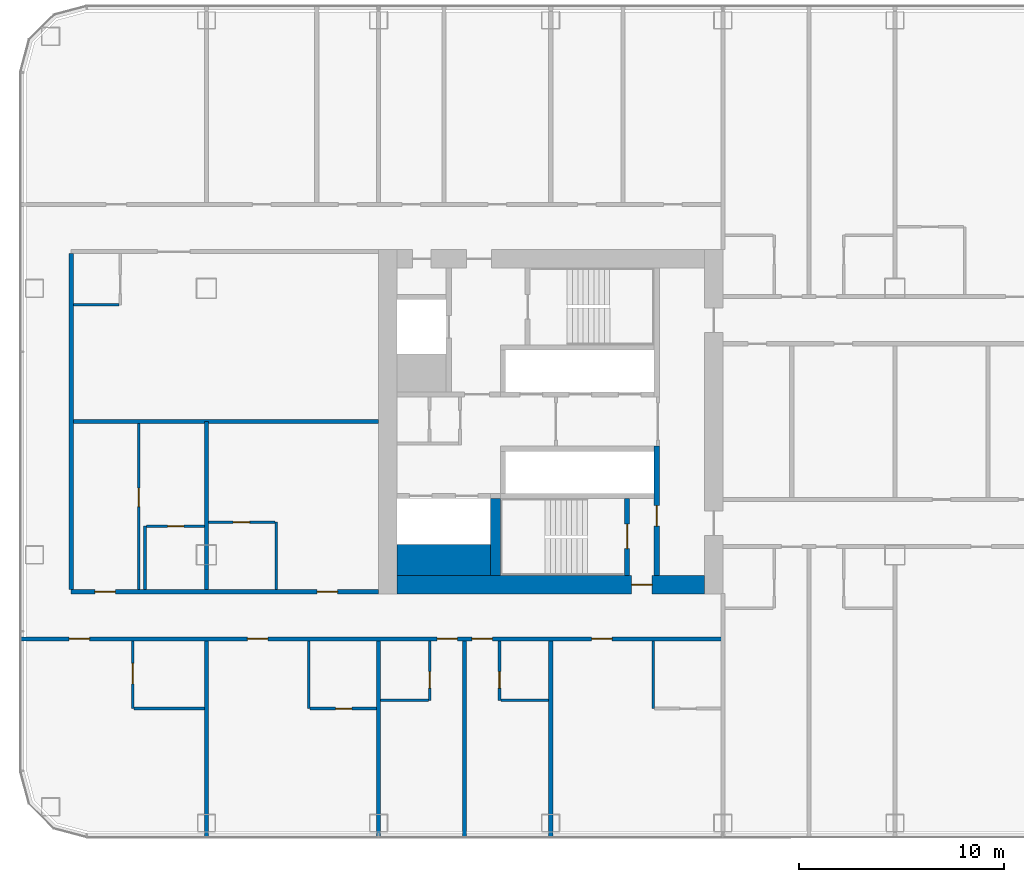
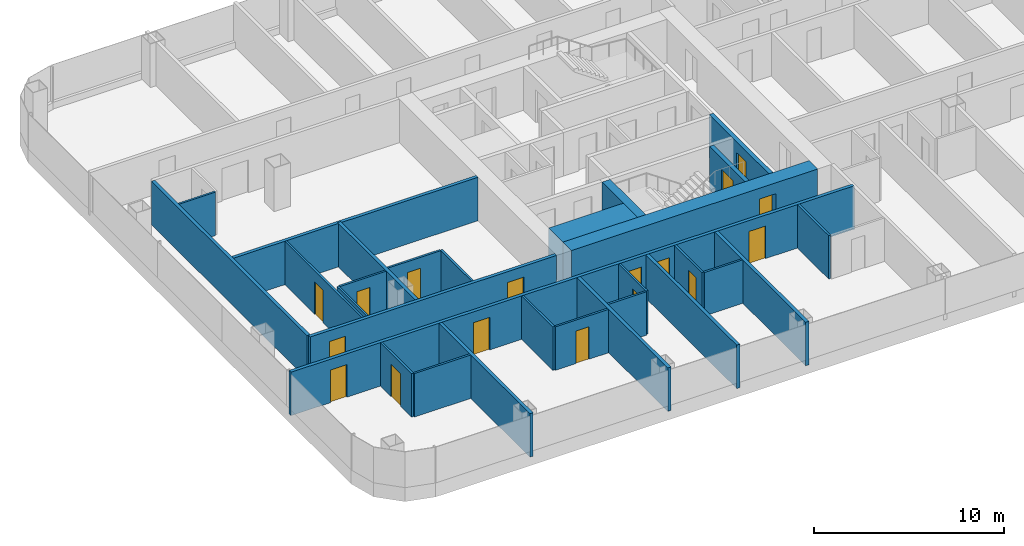
# One storey, part 13 of 29: 29 walls, 17 doors, 17 openings.
"""IFC4 building model written with IfcOpenShell, lengths in metres."""

from ifc_helpers import new_model, si_unit, direction, frame, frame_2d, origin, place, context, subcontext, project, spatial, rectangle, extrude, material, layer, layer_set, type_object, element, fill, save


model = new_model("IFC4")

# Units and contexts
model_context = context("Model", 3, precision=1e-05, world=origin(), true_north=direction((0.0, 1.0)))
body_context = subcontext(model_context, "Body", "Model", "MODEL_VIEW")
ifc_project = project(units=[si_unit("LENGTHUNIT", "METRE"), si_unit("AREAUNIT", "SQUARE_METRE"), si_unit("VOLUMEUNIT", "CUBIC_METRE"), si_unit("PLANEANGLEUNIT", "RADIAN"), si_unit("MASSUNIT", "GRAM", prefix="KILO")], contexts=[model_context])

# Site, building, storey
site_placement = place(None, origin())
site = spatial("IfcSite", under=ifc_project, at=site_placement, CompositionType="ELEMENT")
building_placement = place(site_placement, origin())
building = spatial("IfcBuilding", under=site, at=building_placement, Name="Hakoniwa Tower and Hamabe Station Hall", CompositionType="ELEMENT")
storey_placement = place(building_placement, frame((0.0, 0.0, 29.39990234375)))
storey = spatial("IfcBuildingStorey", under=building, at=storey_placement, Name="L07", CompositionType="ELEMENT", Elevation=29.39990234375)

# Wall
ifc_material_1 = material(Name="Gypsum board partition", Category="gypsum")
ifc_layer_1 = layer(ifc_material_1, 0.125)
ifc_layer_set_1 = layer_set([ifc_layer_1], Name="Bathroom Partition 125")
wall_type_1 = type_object("IfcWallType", Name="Bathroom Partition 125", PredefinedType="PARTITIONING", material=ifc_layer_set_1)
wall_1_placement = place(storey_placement, frame((-45.53759765625, -14.0, 0.0), z_axis=(0.0, 0.0, 1.0), x_axis=(1.0, 0.0, 0.0)))
element("IfcWall", 1, at=wall_1_placement, inside=storey, type_object=wall_type_1, Name="GW-L07-001", PredefinedType="PARTITIONING", context=body_context, shape_type="SweptSolid", body=[
    extrude(rectangle(XDim=3.4375, YDim=0.125, at=frame_2d((1.71875, 0.0))), origin(), (0.0, 0.0, 1.0), 2.800048828125),
])

# Wall, opening, door
wall_2_placement = place(storey_placement, frame((-36.9375, -14.0, 0.0), z_axis=(0.0, 0.0, 1.0), x_axis=(1.0, 0.0, 0.0)))
wall_2 = element("IfcWall", 2, at=wall_2_placement, inside=storey, type_object=wall_type_1, Name="GW-L07-002", PredefinedType="PARTITIONING", context=body_context, shape_type="SweptSolid", body=[
    extrude(rectangle(XDim=3.237548828125, YDim=0.125, at=frame_2d((1.61865234375, 0.0))), origin(), (0.0, 0.0, 1.0), 2.800048828125),
])
opening_1_placement = place(wall_2_placement, frame((1.237548828125, 0.0, 0.0)))
opening_1 = element("IfcOpeningElement", 3, at=opening_1_placement, cuts=wall_2, Name="Opening GD-G1D0-01", PredefinedType="OPENING", context=body_context, shape_type="SweptSolid", body=[
    extrude(rectangle(XDim=0.800048828125, YDim=2.10009765625, at=frame_2d((0.39990234375, 1.050048828125))), frame((0.0, 0.072509765625, 0.0), z_axis=(0.0, -1.0, 0.0), x_axis=(1.0, 0.0, 0.0)), (0.0, 0.0, 1.0), 0.14501953125),
])
ifc_material_2 = material(Name="Timber door leaf", Category="wood")
door_type_1 = type_object("IfcDoorType", Name="Bathroom Door 800", OperationType="SINGLE_SWING_LEFT", PredefinedType="DOOR", material=ifc_material_2)
door_1_placement = place(opening_1_placement, origin())
door_1 = element("IfcDoor", 4, at=door_1_placement, inside=storey, type_object=door_type_1, Name="Door GD-G1D0-01", OperationType="SINGLE_SWING_LEFT", OverallHeight=2.10009765625, OverallWidth=0.800048828125, PredefinedType="DOOR", context=body_context, shape_type="SweptSolid", body=[
    extrude(rectangle(XDim=0.800048828125, YDim=2.10009765625, at=frame_2d((0.39990234375, 1.050048828125))), frame((0.0, 0.02490234375, 0.0), z_axis=(0.0, -1.0, 0.0), x_axis=(1.0, 0.0, 0.0)), (0.0, 0.0, 1.0), 0.050048828125),
])
fill(opening_1, door_1)

# Walls
for number, where, z_axis, x_axis, name in (
    (5, (-33.5, -13.60009765625, 0.0), (0.0, 0.0, 1.0), (1.0, 0.0, 0.0), "GW-L07-006"),
    (6, (-27.637451171875, -13.60009765625, 0.0), (0.0, 0.0, 1.0), (1.0, 0.0, 0.0), "GW-L07-007"),
):
    element("IfcWall", number, at=place(storey_placement, frame(where, z_axis=z_axis, x_axis=x_axis)), inside=storey, type_object=wall_type_1, Name=name, PredefinedType="PARTITIONING", context=body_context, shape_type="SweptSolid", body=[
        extrude(rectangle(XDim=2.33740234375, YDim=0.125, at=frame_2d((1.168701171875, 0.0))), origin(), (0.0, 0.0, 1.0), 2.800048828125),
    ])

# Wall, opening, door
wall_3_placement = place(storey_placement, frame((-44.9375, -5.10009765625, 0.0), z_axis=(0.0, 0.0, 1.0), x_axis=(1.0, 0.0, 0.0)))
wall_3 = element("IfcWall", 7, at=wall_3_placement, inside=storey, type_object=wall_type_1, Name="GW-L07-022", PredefinedType="PARTITIONING", context=body_context, shape_type="SweptSolid", body=[
    extrude(rectangle(XDim=2.83740234375, YDim=0.125, at=frame_2d((1.418701171875, 0.0))), origin(), (0.0, 0.0, 1.0), 2.800048828125),
])
opening_2_placement = place(wall_3_placement, frame((1.03759765625, 0.0, 0.0)))
opening_2 = element("IfcOpeningElement", 8, at=opening_2_placement, cuts=wall_3, Name="Opening GD-G1D0-27", PredefinedType="OPENING", context=body_context, shape_type="SweptSolid", body=[
    extrude(rectangle(XDim=0.800048828125, YDim=2.10009765625, at=frame_2d((0.39990234375, 1.050048828125))), frame((0.0, 0.072509765625, 0.0), z_axis=(0.0, -1.0, 0.0), x_axis=(1.0, 0.0, 0.0)), (0.0, 0.0, 1.0), 0.14501953125),
])
door_2_placement = place(opening_2_placement, origin())
door_2 = element("IfcDoor", 9, at=door_2_placement, inside=storey, type_object=door_type_1, Name="Door GD-G1D0-27", OperationType="SINGLE_SWING_RIGHT", OverallHeight=2.10009765625, OverallWidth=0.800048828125, PredefinedType="DOOR", context=body_context, shape_type="SweptSolid", body=[
    extrude(rectangle(XDim=0.800048828125, YDim=2.10009765625, at=frame_2d((0.39990234375, 1.050048828125))), frame((0.0, 0.02490234375, 0.0), z_axis=(0.0, -1.0, 0.0), x_axis=(1.0, 0.0, 0.0)), (0.0, 0.0, 1.0), 0.050048828125),
])
fill(opening_2, door_2)

wall_4_placement = place(storey_placement, frame((-41.89990234375, -4.89990234375, 0.0), z_axis=(0.0, 0.0, 1.0), x_axis=(1.0, 0.0, 0.0)))
wall_4 = element("IfcWall", 10, at=wall_4_placement, inside=storey, type_object=wall_type_1, Name="GW-L07-025", PredefinedType="PARTITIONING", context=body_context, shape_type="SweptSolid", body=[
    extrude(rectangle(XDim=3.2373046875, YDim=0.125, at=frame_2d((1.61865234375, 0.0))), origin(), (0.0, 0.0, 1.0), 2.800048828125),
])
opening_3_placement = place(wall_4_placement, frame((1.199951171875, 0.0, 0.0)))
opening_3 = element("IfcOpeningElement", 11, at=opening_3_placement, cuts=wall_4, Name="Opening GD-G1D0-30", PredefinedType="OPENING", context=body_context, shape_type="SweptSolid", body=[
    extrude(rectangle(XDim=0.800048828125, YDim=2.10009765625, at=frame_2d((0.39990234375, 1.050048828125))), frame((0.0, 0.072509765625, 0.0), z_axis=(0.0, -1.0, 0.0), x_axis=(1.0, 0.0, 0.0)), (0.0, 0.0, 1.0), 0.14501953125),
])
door_3_placement = place(opening_3_placement, origin())
door_3 = element("IfcDoor", 12, at=door_3_placement, inside=storey, type_object=door_type_1, Name="Door GD-G1D0-30", OperationType="SINGLE_SWING_RIGHT", OverallHeight=2.10009765625, OverallWidth=0.800048828125, PredefinedType="DOOR", context=body_context, shape_type="SweptSolid", body=[
    extrude(rectangle(XDim=0.800048828125, YDim=2.10009765625, at=frame_2d((0.39990234375, 1.050048828125))), frame((0.0, 0.02490234375, 0.0), z_axis=(0.0, -1.0, 0.0), x_axis=(1.0, 0.0, 0.0)), (0.0, 0.0, 1.0), 0.050048828125),
])
fill(opening_3, door_3)

wall_5_placement = place(storey_placement, frame((-45.60009765625, -14.0, 0.0), z_axis=(0.0, 0.0, 1.0), x_axis=(0.0, 1.0, 0.0)))
wall_5 = element("IfcWall", 13, at=wall_5_placement, inside=storey, type_object=wall_type_1, Name="GW-L07-045", PredefinedType="PARTITIONING", context=body_context, shape_type="SweptSolid", body=[
    extrude(rectangle(XDim=3.300048828125, YDim=0.125, at=frame_2d((1.64990234375, 0.0))), origin(), (0.0, 0.0, 1.0), 2.800048828125),
])
opening_4_placement = place(wall_5_placement, frame((1.199951171875, 0.0, 0.0)))
opening_4 = element("IfcOpeningElement", 14, at=opening_4_placement, cuts=wall_5, Name="Opening GD-G1D0-62", PredefinedType="OPENING", context=body_context, shape_type="SweptSolid", body=[
    extrude(rectangle(XDim=1.0, YDim=2.10009765625, at=frame_2d((0.5, 1.050048828125))), frame((0.0, 0.072509765625, 0.0), z_axis=(0.0, -1.0, 0.0), x_axis=(1.0, 0.0, 0.0)), (0.0, 0.0, 1.0), 0.14501953125),
])
ifc_material_3 = material(Name="Timber door leaf", Category="wood")
door_type_2 = type_object("IfcDoorType", Name="Accessible Bathroom Door 1000", OperationType="SINGLE_SWING_LEFT", PredefinedType="DOOR", material=ifc_material_3)
door_4_placement = place(opening_4_placement, origin())
door_4 = element("IfcDoor", 15, at=door_4_placement, inside=storey, type_object=door_type_2, Name="Door GD-G1D0-62", OperationType="SINGLE_SWING_LEFT", OverallHeight=2.10009765625, OverallWidth=1.0, PredefinedType="DOOR", context=body_context, shape_type="SweptSolid", body=[
    extrude(rectangle(XDim=1.0, YDim=2.10009765625, at=frame_2d((0.5, 1.050048828125))), frame((0.0, 0.02490234375, 0.0), z_axis=(0.0, -1.0, 0.0), x_axis=(1.0, 0.0, 0.0)), (0.0, 0.0, 1.0), 0.050048828125),
])
fill(opening_4, door_4)

# Walls
wall_6_placement = place(storey_placement, frame((-45.0, -8.199951171875, 0.0), z_axis=(0.0, 0.0, 1.0), x_axis=(0.0, 1.0, 0.0)))
element("IfcWall", 16, at=wall_6_placement, inside=storey, type_object=wall_type_1, Name="GW-L07-047", PredefinedType="PARTITIONING", context=body_context, shape_type="SweptSolid", body=[
    extrude(rectangle(XDim=3.099853515625, YDim=0.125, at=frame_2d((1.5498046875, 0.0))), origin(), (0.0, 0.0, 1.0), 2.800048828125),
])
for number, where, z_axis, x_axis, name in (
    (17, (-38.60009765625, -8.199951171875, 0.0), (0.0, 0.0, 1.0), (0.0, 1.0, 0.0), "GW-L07-051"),
    (18, (-37.0, -14.0, 0.0), (0.0, 0.0, 1.0), (0.0, 1.0, 0.0), "GW-L07-052"),
):
    element("IfcWall", number, at=place(storey_placement, frame(where, z_axis=z_axis, x_axis=x_axis)), inside=storey, type_object=wall_type_1, Name=name, PredefinedType="PARTITIONING", context=body_context, shape_type="SweptSolid", body=[
        extrude(rectangle(XDim=3.300048828125, YDim=0.125, at=frame_2d((1.64990234375, 0.0))), origin(), (0.0, 0.0, 1.0), 2.800048828125),
    ])

# Wall, opening, door
wall_7_placement = place(storey_placement, frame((-31.10009765625, -13.60009765625, 0.0), z_axis=(0.0, 0.0, 1.0), x_axis=(0.0, 1.0, 0.0)))
wall_7 = element("IfcWall", 19, at=wall_7_placement, inside=storey, type_object=wall_type_1, Name="GW-L07-056", PredefinedType="PARTITIONING", context=body_context, shape_type="SweptSolid", body=[
    extrude(rectangle(XDim=2.900146484375, YDim=0.125, at=frame_2d((1.4501953125, 0.0))), origin(), (0.0, 0.0, 1.0), 2.800048828125),
])
opening_5_placement = place(wall_7_placement, frame((0.60009765625, 0.0, 0.0)))
opening_5 = element("IfcOpeningElement", 20, at=opening_5_placement, cuts=wall_7, Name="Opening GD-G1D0-64", PredefinedType="OPENING", context=body_context, shape_type="SweptSolid", body=[
    extrude(rectangle(XDim=0.800048828125, YDim=2.10009765625, at=frame_2d((0.39990234375, 1.050048828125))), frame((0.0, 0.072509765625, 0.0), z_axis=(0.0, -1.0, 0.0), x_axis=(1.0, 0.0, 0.0)), (0.0, 0.0, 1.0), 0.14501953125),
])
door_5_placement = place(opening_5_placement, origin())
door_5 = element("IfcDoor", 21, at=door_5_placement, inside=storey, type_object=door_type_1, Name="Door GD-G1D0-64", OperationType="SINGLE_SWING_RIGHT", OverallHeight=2.10009765625, OverallWidth=0.800048828125, PredefinedType="DOOR", context=body_context, shape_type="SweptSolid", body=[
    extrude(rectangle(XDim=0.800048828125, YDim=2.10009765625, at=frame_2d((0.39990234375, 1.050048828125))), frame((0.0, 0.02490234375, 0.0), z_axis=(0.0, -1.0, 0.0), x_axis=(1.0, 0.0, 0.0)), (0.0, 0.0, 1.0), 0.050048828125),
])
fill(opening_5, door_5)

wall_8_placement = place(storey_placement, frame((-27.699951171875, -13.60009765625, 0.0), z_axis=(0.0, 0.0, 1.0), x_axis=(0.0, 1.0, 0.0)))
wall_8 = element("IfcWall", 22, at=wall_8_placement, inside=storey, type_object=wall_type_1, Name="GW-L07-059", PredefinedType="PARTITIONING", context=body_context, shape_type="SweptSolid", body=[
    extrude(rectangle(XDim=2.900146484375, YDim=0.125, at=frame_2d((1.4501953125, 0.0))), origin(), (0.0, 0.0, 1.0), 2.800048828125),
])
opening_6_placement = place(wall_8_placement, frame((0.60009765625, 0.0, 0.0)))
opening_6 = element("IfcOpeningElement", 23, at=opening_6_placement, cuts=wall_8, Name="Opening GD-G1D0-65", PredefinedType="OPENING", context=body_context, shape_type="SweptSolid", body=[
    extrude(rectangle(XDim=0.800048828125, YDim=2.10009765625, at=frame_2d((0.39990234375, 1.050048828125))), frame((0.0, 0.072509765625, 0.0), z_axis=(0.0, -1.0, 0.0), x_axis=(1.0, 0.0, 0.0)), (0.0, 0.0, 1.0), 0.14501953125),
])
door_6_placement = place(opening_6_placement, origin())
door_6 = element("IfcDoor", 24, at=door_6_placement, inside=storey, type_object=door_type_1, Name="Door GD-G1D0-65", OperationType="SINGLE_SWING_LEFT", OverallHeight=2.10009765625, OverallWidth=0.800048828125, PredefinedType="DOOR", context=body_context, shape_type="SweptSolid", body=[
    extrude(rectangle(XDim=0.800048828125, YDim=2.10009765625, at=frame_2d((0.39990234375, 1.050048828125))), frame((0.0, 0.02490234375, 0.0), z_axis=(0.0, -1.0, 0.0), x_axis=(1.0, 0.0, 0.0)), (0.0, 0.0, 1.0), 0.050048828125),
])
fill(opening_6, door_6)

# Wall
wall_9_placement = place(storey_placement, frame((-20.199951171875, -14.0, 0.0), z_axis=(0.0, 0.0, 1.0), x_axis=(0.0, 1.0, 0.0)))
element("IfcWall", 25, at=wall_9_placement, inside=storey, type_object=wall_type_1, Name="GW-L07-063", PredefinedType="PARTITIONING", context=body_context, shape_type="SweptSolid", body=[
    extrude(rectangle(XDim=3.300048828125, YDim=0.125, at=frame_2d((1.64990234375, 0.0))), origin(), (0.0, 0.0, 1.0), 2.800048828125),
])

# Wall, opening, door
ifc_material_4 = material(Name="Concrete C80", Category="concrete")
ifc_layer_2 = layer(ifc_material_4, 0.89990234375)
ifc_layer_set_2 = layer_set([ifc_layer_2], Name="CORE WALL 900 C80")
wall_type_2 = type_object("IfcWallType", Name="CORE WALL 900 C80", PredefinedType="SHEAR", material=ifc_layer_set_2)
wall_10_placement = place(storey_placement, frame((-32.699951171875, -7.949951171875, 0.0), z_axis=(0.0, 0.0, 1.0), x_axis=(1.0, 0.0, 0.0)))
wall_10 = element("IfcWall", 26, at=wall_10_placement, inside=storey, type_object=wall_type_2, Name="Core wall SOUTH west", PredefinedType="SHEAR", context=body_context, shape_type="SweptSolid", body=[
    extrude(rectangle(XDim=15.0, YDim=0.89990234375, at=frame_2d((7.5, 0.0))), origin(), (0.0, 0.0, 1.0), 2.800048828125),
])
opening_7_placement = place(wall_10_placement, frame((11.449951171875, 0.0, 0.0)))
opening_7 = element("IfcOpeningElement", 27, at=opening_7_placement, cuts=wall_10, Name="Opening CD-W-FS3-10", PredefinedType="OPENING", context=body_context, shape_type="SweptSolid", body=[
    extrude(rectangle(XDim=1.0, YDim=2.10009765625, at=frame_2d((0.5, 1.050048828125))), frame((0.0, 0.4599609375, 0.0), z_axis=(0.0, -1.0, 0.0), x_axis=(1.0, 0.0, 0.0)), (0.0, 0.0, 1.0), 0.919921875),
])
ifc_material_5 = material(Name="Steel fire door", Category="steel")
door_type_3 = type_object("IfcDoorType", Name="CORE DOOR 1000 FD60", OperationType="NOTDEFINED", PredefinedType="DOOR", material=ifc_material_5)
door_7_placement = place(opening_7_placement, origin())
door_7 = element("IfcDoor", 28, at=door_7_placement, inside=storey, type_object=door_type_3, Name="Stair vestibule door", OperationType="SINGLE_SWING_RIGHT", OverallHeight=2.10009765625, OverallWidth=1.0, PredefinedType="DOOR", context=body_context, shape_type="SweptSolid", body=[
    extrude(rectangle(XDim=1.0, YDim=2.10009765625, at=frame_2d((0.5, 1.050048828125))), frame((0.0, 0.02490234375, 0.0), z_axis=(0.0, -1.0, 0.0), x_axis=(1.0, 0.0, 0.0)), (0.0, 0.0, 1.0), 0.050048828125),
])
fill(opening_7, door_7)

# Wall
ifc_material_6 = material(Name="Concrete C80", Category="concrete")
ifc_layer_3 = layer(ifc_material_6, 1.5)
ifc_layer_set_3 = layer_set([ifc_layer_3], Name="CORE WEB WALL 1500 C80")
wall_type_3 = type_object("IfcWallType", Name="CORE WEB WALL 1500 C80", PredefinedType="SHEAR", material=ifc_layer_set_3)
wall_11_placement = place(storey_placement, frame((-32.699951171875, -6.75, 0.0), z_axis=(0.0, 0.0, 1.0), x_axis=(1.0, 0.0, 0.0)))
element("IfcWall", 29, at=wall_11_placement, inside=storey, type_object=wall_type_3, Name="Core wall SER west", PredefinedType="SHEAR", context=body_context, shape_type="SweptSolid", body=[
    extrude(rectangle(XDim=4.550048828125, YDim=1.5, at=frame_2d((2.27490234375, 0.0))), origin(), (0.0, 0.0, 1.0), 2.800048828125),
])

# Wall, opening, door
ifc_material_7 = material(Name="Concrete C80", Category="concrete")
ifc_layer_4 = layer(ifc_material_7, 0.25)
ifc_layer_set_4 = layer_set([ifc_layer_4], Name="CORE WEB WALL 250 C80")
wall_type_4 = type_object("IfcWallType", Name="CORE WEB WALL 250 C80", PredefinedType="SHEAR", material=ifc_layer_set_4)
wall_12_placement = place(storey_placement, frame((-20.02490234375, -7.5, 0.0), z_axis=(0.0, 0.0, 1.0), x_axis=(0.0, 1.0, 0.0)))
wall_12 = element("IfcWall", 30, at=wall_12_placement, inside=storey, type_object=wall_type_4, Name="Core wall W1S west", PredefinedType="SHEAR", context=body_context, shape_type="SweptSolid", body=[
    extrude(rectangle(XDim=6.300048828125, YDim=0.25, at=frame_2d((3.14990234375, 0.0))), origin(), (0.0, 0.0, 1.0), 2.800048828125),
])
opening_8_placement = place(wall_12_placement, frame((2.39990234375, 0.0, 0.0)))
opening_8 = element("IfcOpeningElement", 31, at=opening_8_placement, cuts=wall_12, Name="Opening CD-W-VS-10", PredefinedType="OPENING", context=body_context, shape_type="SweptSolid", body=[
    extrude(rectangle(XDim=1.0, YDim=2.10009765625, at=frame_2d((0.5, 1.050048828125))), frame((0.0, 0.135009765625, 0.0), z_axis=(0.0, -1.0, 0.0), x_axis=(1.0, 0.0, 0.0)), (0.0, 0.0, 1.0), 0.27001953125),
])
door_8_placement = place(opening_8_placement, origin())
door_8 = element("IfcDoor", 32, at=door_8_placement, inside=storey, type_object=door_type_3, Name="Stair vestibule door", OperationType="SINGLE_SWING_LEFT", OverallHeight=2.10009765625, OverallWidth=1.0, PredefinedType="DOOR", context=body_context, shape_type="SweptSolid", body=[
    extrude(rectangle(XDim=1.0, YDim=2.10009765625, at=frame_2d((0.5, 1.050048828125))), frame((0.0, 0.02490234375, 0.0), z_axis=(0.0, -1.0, 0.0), x_axis=(1.0, 0.0, 0.0)), (0.0, 0.0, 1.0), 0.050048828125),
])
fill(opening_8, door_8)

wall_13_placement = place(storey_placement, frame((-21.47509765625, -7.5, 0.0), z_axis=(0.0, 0.0, 1.0), x_axis=(0.0, 1.0, 0.0)))
wall_13 = element("IfcWall", 33, at=wall_13_placement, inside=storey, type_object=wall_type_4, Name="Core wall VE west", PredefinedType="SHEAR", context=body_context, shape_type="SweptSolid", body=[
    extrude(rectangle(XDim=3.75, YDim=0.25, at=frame_2d((1.875, 0.0))), origin(), (0.0, 0.0, 1.0), 2.800048828125),
])
opening_9_placement = place(wall_13_placement, frame((1.300048828125, 0.0, 0.0)))
opening_9 = element("IfcOpeningElement", 34, at=opening_9_placement, cuts=wall_13, Name="Opening CD-W-SS-12", PredefinedType="OPENING", context=body_context, shape_type="SweptSolid", body=[
    extrude(rectangle(XDim=1.199951171875, YDim=2.10009765625, at=frame_2d((0.60009765625, 1.050048828125))), frame((0.0, 0.135009765625, 0.0), z_axis=(0.0, -1.0, 0.0), x_axis=(1.0, 0.0, 0.0)), (0.0, 0.0, 1.0), 0.27001953125),
])
ifc_material_8 = material(Name="Steel fire door", Category="steel")
door_type_4 = type_object("IfcDoorType", Name="CORE DOOR 1200 FD60", OperationType="DOUBLE_DOOR_SINGLE_SWING", PredefinedType="DOOR", material=ifc_material_8)
door_9_placement = place(opening_9_placement, origin())
door_9 = element("IfcDoor", 35, at=door_9_placement, inside=storey, type_object=door_type_4, Name="Escape stair door", OperationType="DOUBLE_DOOR_SINGLE_SWING", OverallHeight=2.10009765625, OverallWidth=1.199951171875, PredefinedType="DOOR", context=body_context, shape_type="SweptSolid", body=[
    extrude(rectangle(XDim=1.199951171875, YDim=2.10009765625, at=frame_2d((0.60009765625, 1.050048828125))), frame((0.0, 0.02490234375, 0.0), z_axis=(0.0, -1.0, 0.0), x_axis=(1.0, 0.0, 0.0)), (0.0, 0.0, 1.0), 0.050048828125),
])
fill(opening_9, door_9)

# Wall
ifc_material_9 = material(Name="Concrete C80", Category="concrete")
ifc_layer_5 = layer(ifc_material_9, 0.5)
ifc_layer_set_5 = layer_set([ifc_layer_5], Name="CORE WEB WALL 500 C80")
wall_type_5 = type_object("IfcWallType", Name="CORE WEB WALL 500 C80", PredefinedType="SHEAR", material=ifc_layer_set_5)
wall_14_placement = place(storey_placement, frame((-27.89990234375, -7.5, 0.0), z_axis=(0.0, 0.0, 1.0), x_axis=(0.0, 1.0, 0.0)))
element("IfcWall", 36, at=wall_14_placement, inside=storey, type_object=wall_type_5, Name="Core wall SSE west", PredefinedType="SHEAR", context=body_context, shape_type="SweptSolid", body=[
    extrude(rectangle(XDim=3.75, YDim=0.5, at=frame_2d((1.875, 0.0))), origin(), (0.0, 0.0, 1.0), 2.800048828125),
])

# Wall, openings, doors
ifc_material_10 = material(Name="Fire-rated gypsum board partition", Category="gypsum")
ifc_layer_6 = layer(ifc_material_10, 0.199951171875)
ifc_layer_set_6 = layer_set([ifc_layer_6], Name="Corridor Wall 200")
wall_type_6 = type_object("IfcWallType", Name="Corridor Wall 200", PredefinedType="PARTITIONING", material=ifc_layer_set_6)
wall_15_placement = place(storey_placement, frame((-51.10009765625, -10.60009765625, 0.0), z_axis=(0.0, 0.0, 1.0), x_axis=(1.0, 0.0, 0.0)))
wall_15 = element("IfcWall", 37, at=wall_15_placement, inside=storey, type_object=wall_type_6, Name="GW-L07-012", PredefinedType="PARTITIONING", context=body_context, shape_type="SweptSolid", body=[
    extrude(rectangle(XDim=34.300048828125, YDim=0.199951171875, at=frame_2d((17.14990234375, 0.0))), origin(), (0.0, 0.0, 1.0), 2.800048828125),
])
opening_10_placement = place(wall_15_placement, frame((2.39990234375, 0.0, 0.0)))
opening_10 = element("IfcOpeningElement", 38, at=opening_10_placement, cuts=wall_15, Name="Opening GD-G1D0-05", PredefinedType="OPENING", context=body_context, shape_type="SweptSolid", body=[
    extrude(rectangle(XDim=1.0, YDim=2.10009765625, at=frame_2d((0.5, 1.050048828125))), frame((0.0, 0.10986328125, 0.0), z_axis=(0.0, -1.0, 0.0), x_axis=(1.0, 0.0, 0.0)), (0.0, 0.0, 1.0), 0.219970703125),
])
opening_11_placement = place(wall_15_placement, frame((11.10009765625, 0.0, 0.0)))
opening_11 = element("IfcOpeningElement", 39, at=opening_11_placement, cuts=wall_15, Name="Opening GD-G1D0-06", PredefinedType="OPENING", context=body_context, shape_type="SweptSolid", body=[
    extrude(rectangle(XDim=1.0, YDim=2.10009765625, at=frame_2d((0.5, 1.050048828125))), frame((0.0, 0.10986328125, 0.0), z_axis=(0.0, -1.0, 0.0), x_axis=(1.0, 0.0, 0.0)), (0.0, 0.0, 1.0), 0.219970703125),
])
opening_12_placement = place(wall_15_placement, frame((20.35009765625, 0.0, 0.0)))
opening_12 = element("IfcOpeningElement", 40, at=opening_12_placement, cuts=wall_15, Name="Opening GD-G1D0-07", PredefinedType="OPENING", context=body_context, shape_type="SweptSolid", body=[
    extrude(rectangle(XDim=1.0, YDim=2.10009765625, at=frame_2d((0.5, 1.050048828125))), frame((0.0, 0.10986328125, 0.0), z_axis=(0.0, -1.0, 0.0), x_axis=(1.0, 0.0, 0.0)), (0.0, 0.0, 1.0), 0.219970703125),
])
opening_13_placement = place(wall_15_placement, frame((22.050048828125, 0.0, 0.0)))
opening_13 = element("IfcOpeningElement", 41, at=opening_13_placement, cuts=wall_15, Name="Opening GD-G1D0-08", PredefinedType="OPENING", context=body_context, shape_type="SweptSolid", body=[
    extrude(rectangle(XDim=1.0, YDim=2.10009765625, at=frame_2d((0.5, 1.050048828125))), frame((0.0, 0.10986328125, 0.0), z_axis=(0.0, -1.0, 0.0), x_axis=(1.0, 0.0, 0.0)), (0.0, 0.0, 1.0), 0.219970703125),
])
opening_14_placement = place(wall_15_placement, frame((27.89990234375, 0.0, 0.0)))
opening_14 = element("IfcOpeningElement", 42, at=opening_14_placement, cuts=wall_15, Name="Opening GD-G1D0-09", PredefinedType="OPENING", context=body_context, shape_type="SweptSolid", body=[
    extrude(rectangle(XDim=1.0, YDim=2.10009765625, at=frame_2d((0.5, 1.050048828125))), frame((0.0, 0.10986328125, 0.0), z_axis=(0.0, -1.0, 0.0), x_axis=(1.0, 0.0, 0.0)), (0.0, 0.0, 1.0), 0.219970703125),
])
ifc_material_11 = material(Name="Timber door leaf", Category="wood")
door_type_5 = type_object("IfcDoorType", Name="Accessible Guest Entrance Door 1000", OperationType="SINGLE_SWING_LEFT", PredefinedType="DOOR", material=ifc_material_11)
door_10_placement = place(opening_10_placement, origin())
door_10 = element("IfcDoor", 43, at=door_10_placement, inside=storey, type_object=door_type_5, Name="Door GD-G1D0-05", OperationType="SINGLE_SWING_RIGHT", OverallHeight=2.10009765625, OverallWidth=1.0, PredefinedType="DOOR", context=body_context, shape_type="SweptSolid", body=[
    extrude(rectangle(XDim=1.0, YDim=2.10009765625, at=frame_2d((0.5, 1.050048828125))), frame((0.0, 0.02490234375, 0.0), z_axis=(0.0, -1.0, 0.0), x_axis=(1.0, 0.0, 0.0)), (0.0, 0.0, 1.0), 0.050048828125),
])
fill(opening_10, door_10)
ifc_material_12 = material(Name="Timber door leaf", Category="wood")
door_type_6 = type_object("IfcDoorType", Name="Guest Entrance Door 1000", OperationType="SINGLE_SWING_LEFT", PredefinedType="DOOR", material=ifc_material_12)
door_11_placement = place(opening_11_placement, origin())
door_11 = element("IfcDoor", 44, at=door_11_placement, inside=storey, type_object=door_type_6, Name="Door GD-G1D0-06", OperationType="SINGLE_SWING_LEFT", OverallHeight=2.10009765625, OverallWidth=1.0, PredefinedType="DOOR", context=body_context, shape_type="SweptSolid", body=[
    extrude(rectangle(XDim=1.0, YDim=2.10009765625, at=frame_2d((0.5, 1.050048828125))), frame((0.0, 0.02490234375, 0.0), z_axis=(0.0, -1.0, 0.0), x_axis=(1.0, 0.0, 0.0)), (0.0, 0.0, 1.0), 0.050048828125),
])
fill(opening_11, door_11)
door_12_placement = place(opening_12_placement, origin())
door_12 = element("IfcDoor", 45, at=door_12_placement, inside=storey, type_object=door_type_6, Name="Door GD-G1D0-07", OperationType="SINGLE_SWING_RIGHT", OverallHeight=2.10009765625, OverallWidth=1.0, PredefinedType="DOOR", context=body_context, shape_type="SweptSolid", body=[
    extrude(rectangle(XDim=1.0, YDim=2.10009765625, at=frame_2d((0.5, 1.050048828125))), frame((0.0, 0.02490234375, 0.0), z_axis=(0.0, -1.0, 0.0), x_axis=(1.0, 0.0, 0.0)), (0.0, 0.0, 1.0), 0.050048828125),
])
fill(opening_12, door_12)
door_13_placement = place(opening_13_placement, origin())
door_13 = element("IfcDoor", 46, at=door_13_placement, inside=storey, type_object=door_type_6, Name="Door GD-G1D0-08", OperationType="SINGLE_SWING_LEFT", OverallHeight=2.10009765625, OverallWidth=1.0, PredefinedType="DOOR", context=body_context, shape_type="SweptSolid", body=[
    extrude(rectangle(XDim=1.0, YDim=2.10009765625, at=frame_2d((0.5, 1.050048828125))), frame((0.0, 0.02490234375, 0.0), z_axis=(0.0, -1.0, 0.0), x_axis=(1.0, 0.0, 0.0)), (0.0, 0.0, 1.0), 0.050048828125),
])
fill(opening_13, door_13)
door_14_placement = place(opening_14_placement, origin())
door_14 = element("IfcDoor", 47, at=door_14_placement, inside=storey, type_object=door_type_6, Name="Door GD-G1D0-09", OperationType="SINGLE_SWING_RIGHT", OverallHeight=2.10009765625, OverallWidth=1.0, PredefinedType="DOOR", context=body_context, shape_type="SweptSolid", body=[
    extrude(rectangle(XDim=1.0, YDim=2.10009765625, at=frame_2d((0.5, 1.050048828125))), frame((0.0, 0.02490234375, 0.0), z_axis=(0.0, -1.0, 0.0), x_axis=(1.0, 0.0, 0.0)), (0.0, 0.0, 1.0), 0.050048828125),
])
fill(opening_14, door_14)

wall_16_placement = place(storey_placement, frame((-48.60009765625, -8.300048828125, 0.0), z_axis=(0.0, 0.0, 1.0), x_axis=(1.0, 0.0, 0.0)))
wall_16 = element("IfcWall", 48, at=wall_16_placement, inside=storey, type_object=wall_type_6, Name="GW-L07-019", PredefinedType="PARTITIONING", context=body_context, shape_type="SweptSolid", body=[
    extrude(rectangle(XDim=15.0, YDim=0.199951171875, at=frame_2d((7.5, 0.0))), origin(), (0.0, 0.0, 1.0), 2.800048828125),
])
opening_15_placement = place(wall_16_placement, frame((1.14990234375, 0.0, 0.0)))
opening_15 = element("IfcOpeningElement", 49, at=opening_15_placement, cuts=wall_16, Name="Opening GD-G1D0-17", PredefinedType="OPENING", context=body_context, shape_type="SweptSolid", body=[
    extrude(rectangle(XDim=1.0, YDim=2.10009765625, at=frame_2d((0.5, 1.050048828125))), frame((0.0, 0.10986328125, 0.0), z_axis=(0.0, -1.0, 0.0), x_axis=(1.0, 0.0, 0.0)), (0.0, 0.0, 1.0), 0.219970703125),
])
opening_16_placement = place(wall_16_placement, frame((12.0, 0.0, 0.0)))
opening_16 = element("IfcOpeningElement", 50, at=opening_16_placement, cuts=wall_16, Name="Opening GD-G1D0-18", PredefinedType="OPENING", context=body_context, shape_type="SweptSolid", body=[
    extrude(rectangle(XDim=1.0, YDim=2.10009765625, at=frame_2d((0.5, 1.050048828125))), frame((0.0, 0.10986328125, 0.0), z_axis=(0.0, -1.0, 0.0), x_axis=(1.0, 0.0, 0.0)), (0.0, 0.0, 1.0), 0.219970703125),
])
door_15_placement = place(opening_15_placement, origin())
door_15 = element("IfcDoor", 51, at=door_15_placement, inside=storey, type_object=door_type_6, Name="Door GD-G1D0-17", OperationType="SINGLE_SWING_LEFT", OverallHeight=2.10009765625, OverallWidth=1.0, PredefinedType="DOOR", context=body_context, shape_type="SweptSolid", body=[
    extrude(rectangle(XDim=1.0, YDim=2.10009765625, at=frame_2d((0.5, 1.050048828125))), frame((0.0, 0.02490234375, 0.0), z_axis=(0.0, -1.0, 0.0), x_axis=(1.0, 0.0, 0.0)), (0.0, 0.0, 1.0), 0.050048828125),
])
fill(opening_15, door_15)
door_16_placement = place(opening_16_placement, origin())
door_16 = element("IfcDoor", 52, at=door_16_placement, inside=storey, type_object=door_type_6, Name="Door GD-G1D0-18", OperationType="SINGLE_SWING_LEFT", OverallHeight=2.10009765625, OverallWidth=1.0, PredefinedType="DOOR", context=body_context, shape_type="SweptSolid", body=[
    extrude(rectangle(XDim=1.0, YDim=2.10009765625, at=frame_2d((0.5, 1.050048828125))), frame((0.0, 0.02490234375, 0.0), z_axis=(0.0, -1.0, 0.0), x_axis=(1.0, 0.0, 0.0)), (0.0, 0.0, 1.0), 0.050048828125),
])
fill(opening_16, door_16)

# Walls
ifc_material_13 = material(Name="Fire-rated gypsum board partition", Category="gypsum")
ifc_layer_7 = layer(ifc_material_13, 0.199951171875)
ifc_layer_set_7 = layer_set([ifc_layer_7], Name="Party Wall 200")
wall_type_7 = type_object("IfcWallType", Name="Party Wall 200", PredefinedType="PARTITIONING", material=ifc_layer_set_7)
wall_17_placement = place(storey_placement, frame((-48.5, 0.0, 0.0), z_axis=(0.0, 0.0, 1.0), x_axis=(1.0, 0.0, 0.0)))
element("IfcWall", 53, at=wall_17_placement, inside=storey, type_object=wall_type_7, Name="GW-L07-027", PredefinedType="PARTITIONING", context=body_context, shape_type="SweptSolid", body=[
    extrude(rectangle(XDim=14.89990234375, YDim=0.199951171875, at=frame_2d((7.449951171875, 0.0))), origin(), (0.0, 0.0, 1.0), 2.800048828125),
])
wall_18_placement = place(storey_placement, frame((-48.60009765625, -8.199951171875, 0.0), z_axis=(0.0, 0.0, 1.0), x_axis=(0.0, 1.0, 0.0)))
element("IfcWall", 54, at=wall_18_placement, inside=storey, type_object=wall_type_7, Name="GW-L07-043", PredefinedType="PARTITIONING", context=body_context, shape_type="SweptSolid", body=[
    extrude(rectangle(XDim=16.39990234375, YDim=0.199951171875, at=frame_2d((8.199951171875, 0.0))), origin(), (0.0, 0.0, 1.0), 2.800048828125),
])
wall_19_placement = place(storey_placement, frame((-42.0, -20.300048828125, 0.0), z_axis=(0.0, 0.0, 1.0), x_axis=(0.0, 1.0, 0.0)))
element("IfcWall", 55, at=wall_19_placement, inside=storey, type_object=wall_type_7, Name="GW-L07-048", PredefinedType="PARTITIONING", context=body_context, shape_type="SweptSolid", body=[
    extrude(rectangle(XDim=9.60009765625, YDim=0.199951171875, at=frame_2d((4.800048828125, 0.0))), origin(), (0.0, 0.0, 1.0), 2.800048828125),
])
wall_20_placement = place(storey_placement, frame((-42.0, -8.199951171875, 0.0), z_axis=(0.0, 0.0, 1.0), x_axis=(0.0, 1.0, 0.0)))
element("IfcWall", 56, at=wall_20_placement, inside=storey, type_object=wall_type_7, Name="GW-L07-049", PredefinedType="PARTITIONING", context=body_context, shape_type="SweptSolid", body=[
    extrude(rectangle(XDim=8.199951171875, YDim=0.199951171875, at=frame_2d((4.10009765625, 0.0))), origin(), (0.0, 0.0, 1.0), 2.800048828125),
])
for number, where, z_axis, x_axis, name in (
    (57, (-33.60009765625, -20.300048828125, 0.0), (0.0, 0.0, 1.0), (0.0, 1.0, 0.0), "GW-L07-054"),
    (58, (-29.39990234375, -20.300048828125, 0.0), (0.0, 0.0, 1.0), (0.0, 1.0, 0.0), "GW-L07-058"),
    (59, (-25.199951171875, -20.300048828125, 0.0), (0.0, 0.0, 1.0), (0.0, 1.0, 0.0), "GW-L07-060"),
):
    element("IfcWall", number, at=place(storey_placement, frame(where, z_axis=z_axis, x_axis=x_axis)), inside=storey, type_object=wall_type_7, Name=name, PredefinedType="PARTITIONING", context=body_context, shape_type="SweptSolid", body=[
        extrude(rectangle(XDim=9.60009765625, YDim=0.199951171875, at=frame_2d((4.800048828125, 0.0))), origin(), (0.0, 0.0, 1.0), 2.800048828125),
    ])
ifc_material_14 = material(Name="Gypsum board partition", Category="gypsum")
ifc_layer_8 = layer(ifc_material_14, 0.125)
ifc_layer_set_8 = layer_set([ifc_layer_8], Name="Room Partition 125")
wall_type_8 = type_object("IfcWallType", Name="Room Partition 125", PredefinedType="PARTITIONING", material=ifc_layer_set_8)
wall_21_placement = place(storey_placement, frame((-48.5, 5.699951171875, 0.0), z_axis=(0.0, 0.0, 1.0), x_axis=(1.0, 0.0, 0.0)))
element("IfcWall", 60, at=wall_21_placement, inside=storey, type_object=wall_type_8, Name="GW-L07-031", PredefinedType="PARTITIONING", context=body_context, shape_type="SweptSolid", body=[
    extrude(rectangle(XDim=2.237548828125, YDim=0.125, at=frame_2d((1.11865234375, 0.0))), origin(), (0.0, 0.0, 1.0), 2.800048828125),
])

# Wall, opening, door
wall_22_placement = place(storey_placement, frame((-45.300048828125, -8.199951171875, 0.0), z_axis=(0.0, 0.0, 1.0), x_axis=(0.0, 1.0, 0.0)))
wall_22 = element("IfcWall", 61, at=wall_22_placement, inside=storey, type_object=wall_type_8, Name="GW-L07-046", PredefinedType="PARTITIONING", context=body_context, shape_type="SweptSolid", body=[
    extrude(rectangle(XDim=8.099853515625, YDim=0.125, at=frame_2d((4.0498046875, 0.0))), origin(), (0.0, 0.0, 1.0), 2.800048828125),
])
opening_17_placement = place(wall_22_placement, frame((4.050048828125, 0.0, 0.0)))
opening_17 = element("IfcOpeningElement", 62, at=opening_17_placement, cuts=wall_22, Name="Opening GD-G1D0-63", PredefinedType="OPENING", context=body_context, shape_type="SweptSolid", body=[
    extrude(rectangle(XDim=0.89990234375, YDim=2.10009765625, at=frame_2d((0.449951171875, 1.050048828125))), frame((0.0, 0.072509765625, 0.0), z_axis=(0.0, -1.0, 0.0), x_axis=(1.0, 0.0, 0.0)), (0.0, 0.0, 1.0), 0.14501953125),
])
ifc_material_15 = material(Name="Timber door leaf", Category="wood")
door_type_7 = type_object("IfcDoorType", Name="Suite Interior Door 900", OperationType="SINGLE_SWING_LEFT", PredefinedType="DOOR", material=ifc_material_15)
door_17_placement = place(opening_17_placement, origin())
door_17 = element("IfcDoor", 63, at=door_17_placement, inside=storey, type_object=door_type_7, Name="Door GD-G1D0-63", OperationType="SINGLE_SWING_LEFT", OverallHeight=2.10009765625, OverallWidth=0.89990234375, PredefinedType="DOOR", context=body_context, shape_type="SweptSolid", body=[
    extrude(rectangle(XDim=0.89990234375, YDim=2.10009765625, at=frame_2d((0.449951171875, 1.050048828125))), frame((0.0, 0.02490234375, 0.0), z_axis=(0.0, -1.0, 0.0), x_axis=(1.0, 0.0, 0.0)), (0.0, 0.0, 1.0), 0.050048828125),
])
fill(opening_17, door_17)

save(model, "model.ifc")
